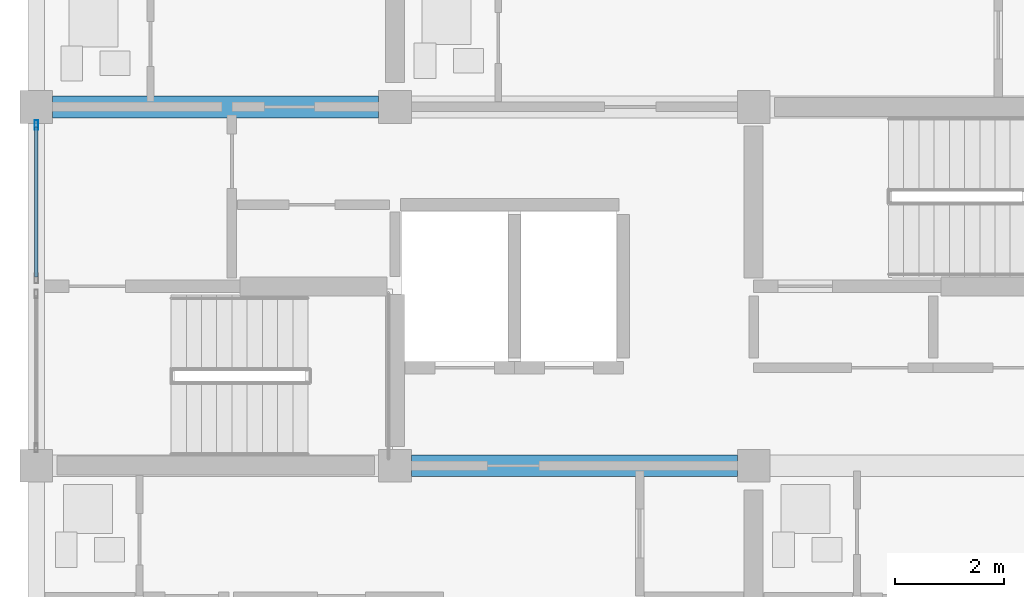
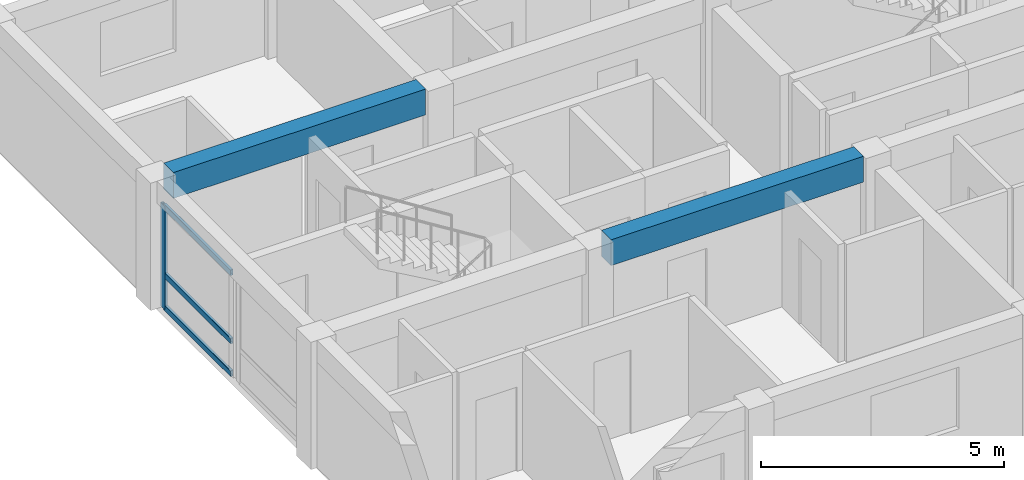
# One storey, part 15 of 52: 4 members, 2 beams, 1 element without a shape of its own.
"""IFC4 building model written with IfcOpenShell, lengths in metres."""

import ifcopenshell
import ifcopenshell.guid

model = None  # the IFC model being written
_history = None  # IfcOwnerHistory: only IFC2X3 demands one
_inside = {}  # id of a spatial element -> (the spatial element, [elements in it])
_under = {}  # id of a project, library or spatial element -> (it, [spatial elements below it])
_declared = {}  # id of a project -> (the project, [libraries it declares])
_typed = {}  # id of a type object -> (the type object, [elements of that type])
_made_of = {}  # id of a material, layer set ... -> (it, [elements and type objects made of it])


def new_model(schema):
    """Start an empty IFC model of exactly this schema.

    Asked for "IFC4X3", IfcOpenShell would pick the latest addendum, in which some entities
    have other attributes; the version numbers below select the first issue.
    IFC2X3 requires an IfcOwnerHistory on every rooted entity: one is made here for all.
    """
    global model, _history
    if schema == "IFC4X3":
        model = ifcopenshell.file(schema_version=(4, 3, 0, 0))
    else:
        model = ifcopenshell.file(schema=schema)
    _inside.clear()
    _under.clear()
    _declared.clear()
    _typed.clear()
    _made_of.clear()
    _history = None
    if model.schema == "IFC2X3":
        org = make("IfcOrganization", Name="unknown")
        user = make(
            "IfcPersonAndOrganization",
            ThePerson=make("IfcPerson", FamilyName="unknown"),
            TheOrganization=org,
        )
        app = make(
            "IfcApplication",
            ApplicationDeveloper=org,
            Version="unknown",
            ApplicationFullName="unknown",
            ApplicationIdentifier="unknown",
        )
        _history = make(
            "IfcOwnerHistory",
            OwningUser=user,
            OwningApplication=app,
            ChangeAction="ADDED",
            CreationDate=0,
        )
    return model


def make(cls, **values):
    """One entity of the class cls with the attributes given. An attribute that is None is left unset."""
    return model.create_entity(
        cls, **{name: value for name, value in values.items() if value is not None}
    )


def rooted(cls, **values):
    """An entity with a GlobalId (a new one), such as an element, a storey or a relation."""
    return make(cls, GlobalId=ifcopenshell.guid.new(), OwnerHistory=_history, **values)


def si_unit(unit_type, name, prefix=None):
    """IfcSIUnit, for example si_unit("LENGTHUNIT", "METRE", prefix="MILLI")."""
    return make("IfcSIUnit", UnitType=unit_type, Prefix=prefix, Name=name)


def assignment(units):
    """IfcUnitAssignment: the units of a project."""
    return None if units is None else make("IfcUnitAssignment", Units=units)


def point(xyz):
    """IfcCartesianPoint."""
    return None if xyz is None else make("IfcCartesianPoint", Coordinates=xyz)


def direction(xyz):
    """IfcDirection."""
    return None if xyz is None else make("IfcDirection", DirectionRatios=xyz)


def frame(location, z_axis=None, x_axis=None):
    """IfcAxis2Placement3D, a coordinate frame: its origin and axes. An axis left out is left unset."""
    return make(
        "IfcAxis2Placement3D",
        Location=point(location),
        Axis=direction(z_axis),
        RefDirection=direction(x_axis),
    )


def frame_2d(location, x_axis=None):
    """IfcAxis2Placement2D, a coordinate frame in the plane: its origin and x axis."""
    return make(
        "IfcAxis2Placement2D", Location=point(location), RefDirection=direction(x_axis)
    )


def origin():
    """The frame at (0, 0, 0) with its axes left unset."""
    return frame((0.0, 0.0, 0.0))


def origin_2d():
    """The frame at (0, 0) in the plane with its x axis left unset."""
    return frame_2d((0.0, 0.0))


def place(relative_to, where):
    """IfcLocalPlacement: puts the frame where relative to a parent placement (None: the world)."""
    return make(
        "IfcLocalPlacement", PlacementRelTo=relative_to, RelativePlacement=where
    )


def context(
    kind, dimensions, precision=None, world=None, true_north=None, identifier=None
):
    """IfcGeometricRepresentationContext, for example the 3D "Model" context."""
    return make(
        "IfcGeometricRepresentationContext",
        ContextIdentifier=identifier,
        ContextType=kind,
        CoordinateSpaceDimension=dimensions,
        Precision=precision,
        WorldCoordinateSystem=world,
        TrueNorth=true_north,
    )


def subcontext(parent, identifier, kind, view, scale=None):
    """IfcGeometricRepresentationSubContext, for example "Body" below "Model"."""
    return make(
        "IfcGeometricRepresentationSubContext",
        ContextIdentifier=identifier,
        ContextType=kind,
        ParentContext=parent,
        TargetScale=scale,
        TargetView=view,
    )


def project(units=None, contexts=None):
    """IfcProject with its units and contexts."""
    return rooted(
        "IfcProject",
        Name="project",
        RepresentationContexts=contexts,
        UnitsInContext=assignment(units),
    )


def spatial(cls, under=None, at=None, **own):
    """A site, building, storey or space (cls), placed at a placement, below another one or the project."""
    s = rooted(cls, ObjectPlacement=at, **own)
    if under is not None:
        _under.setdefault(under.id(), (under, []))[1].append(s)
    return s


def profile(cls, at=None, kind="AREA", **sizes):
    """A parametric profile (cls). Its sizes go by their IFC names, for example OverallWidth=200.0."""
    return make(cls, ProfileType=kind, Position=at, **sizes)


def rectangle(**sizes):
    """IfcRectangleProfileDef."""
    return profile("IfcRectangleProfileDef", **sizes)


def hollow_rectangle(**sizes):
    """IfcRectangleHollowProfileDef."""
    return profile("IfcRectangleHollowProfileDef", **sizes)


def extrude(swept, where, along, depth):
    """IfcExtrudedAreaSolid: the profile swept, set in the frame where, extruded along a direction by depth."""
    return make(
        "IfcExtrudedAreaSolid",
        SweptArea=swept,
        Position=where,
        ExtrudedDirection=direction(along),
        Depth=depth,
    )


def shape(context_of_items, identifier, shape_type, items):
    """IfcShapeRepresentation: the items that make up one representation, for example the "Body"."""
    return make(
        "IfcShapeRepresentation",
        ContextOfItems=context_of_items,
        RepresentationIdentifier=identifier,
        RepresentationType=shape_type,
        Items=items,
    )


def material(Name=None, Category=None):
    """IfcMaterial."""
    return make("IfcMaterial", Name=Name, Category=Category)


def material_profile(
    of_material, cross_section, Name=None, Category=None, Priority=None
):
    """IfcMaterialProfile: a cross section and its material."""
    return make(
        "IfcMaterialProfile",
        Name=Name,
        Material=of_material,
        Profile=cross_section,
        Priority=Priority,
        Category=Category,
    )


def profile_set(profiles, Name=None, composite=None):
    """IfcMaterialProfileSet."""
    return make(
        "IfcMaterialProfileSet",
        Name=Name,
        MaterialProfiles=profiles,
        CompositeProfile=composite,
    )


def made_of(thing, what):
    """Note that an element or type object is made of a material, layer set ...; save() writes the relation."""
    if what is not None:
        _made_of.setdefault(what.id(), (what, []))[1].append(thing)
    return thing


def type_object(cls, material=None, **own):
    """A type object (cls), such as IfcWallType, which elements share."""
    return made_of(rooted(cls, **own), material)


def element(
    cls,
    number,
    at=None,
    inside=None,
    cuts=None,
    type_object=None,
    material=None,
    context=None,
    identifier="Body",
    shape_type=None,
    held_by="IfcProductDefinitionShape",
    body=None,
    shapes=None,
    **own,
):
    """One element of the class cls, such as IfcWall. Its Tag is "e" and its number.

    at: its placement. inside: the storey or other place that contains it. cuts: it is an
    opening in that element (IfcRelVoidsElement). A single representation is given by context,
    identifier, shape_type and body (its items); several are given by shapes. held_by: the class
    of the entity that holds the representations. save() writes the other relations.
    """
    e = rooted(cls, Tag="e%d" % number, ObjectPlacement=at, **own)
    if body is not None:
        shapes = [shape(context, identifier, shape_type, body)]
    if shapes is not None:
        e.Representation = make(held_by, Representations=shapes)
    if inside is not None:
        _inside.setdefault(inside.id(), (inside, []))[1].append(e)
    if cuts is not None:
        rooted(
            "IfcRelVoidsElement", RelatingBuildingElement=cuts, RelatedOpeningElement=e
        )
    if type_object is not None:
        _typed.setdefault(type_object.id(), (type_object, []))[1].append(e)
    return made_of(e, material)


def aggregate(whole, parts):
    """IfcRelAggregates: a whole, such as a stair, and the parts it consists of."""
    return rooted("IfcRelAggregates", RelatingObject=whole, RelatedObjects=parts)


def save(model, path):
    """Write the relations noted so far, then the file.

    IfcRelAggregates (storeys below a building ...), IfcRelContainedInSpatialStructure (elements
    in a storey), IfcRelDefinesByType, IfcRelAssociatesMaterial and IfcRelDeclares: one each for
    every whole, place, type object, material and project.
    """
    for whole, parts in _under.values():
        aggregate(whole, parts)
    for where, things in _inside.values():
        rooted(
            "IfcRelContainedInSpatialStructure",
            RelatedElements=things,
            RelatingStructure=where,
        )
    for kind, things in _typed.values():
        rooted("IfcRelDefinesByType", RelatedObjects=things, RelatingType=kind)
    for what, things in _made_of.values():
        rooted("IfcRelAssociatesMaterial", RelatedObjects=things, RelatingMaterial=what)
    for by, libraries in _declared.values():
        rooted("IfcRelDeclares", RelatingContext=by, RelatedDefinitions=libraries)
    model.write(path)


model = new_model("IFC4")

# Units and contexts
model_context = context("Model", 3, precision=1e-05, world=origin(), true_north=direction((0.0, 1.0)))
body_context = subcontext(model_context, "Body", "Model", "MODEL_VIEW")
ifc_project = project(units=[si_unit("LENGTHUNIT", "METRE"), si_unit("AREAUNIT", "SQUARE_METRE"), si_unit("VOLUMEUNIT", "CUBIC_METRE"), si_unit("PLANEANGLEUNIT", "RADIAN"), si_unit("MASSUNIT", "GRAM", prefix="KILO")], contexts=[model_context])

# Site, building, storey
site_placement = place(None, origin())
site = spatial("IfcSite", under=ifc_project, at=site_placement, CompositionType="ELEMENT")
building_placement = place(site_placement, origin())
building = spatial("IfcBuilding", under=site, at=building_placement, Name="Kernevlak Ridge Housing Community", CompositionType="ELEMENT")
storey_placement = place(building_placement, frame((0.0, 0.0, 11.60009765625)))
storey = spatial("IfcBuildingStorey", under=building, at=storey_placement, Name="L03", CompositionType="ELEMENT", Elevation=11.60009765625)

# Beams
ifc_material_1 = material(Name="Concrete C35/45", Category="concrete")
ifc_material_profile_1 = material_profile(ifc_material_1, rectangle(XDim=0.39990234375, YDim=0.64990234375, at=origin_2d()), Name="RC 400x650")
ifc_profile_set_1 = profile_set([ifc_material_profile_1], Name="Concrete C35/45")
beam_type = type_object("IfcBeamType", Name="B-03", PredefinedType="T_BEAM", material=ifc_profile_set_1)
for number, where, z_axis, x_axis, name in (
    (1, (22.5, 82.60009765625, 2.875), (1.0, 0.0, 0.0), (0.0, 1.0, 0.0), "Beam B-03 L03 141"),
    (2, (15.89990234375, 89.199951171875, 2.875), (1.0, 0.0, 0.0), (0.0, 1.0, 0.0), "Beam B-03 L03 145"),
):
    element("IfcBeam", number, at=place(storey_placement, frame(where, z_axis=z_axis, x_axis=x_axis)), inside=storey, type_object=beam_type, Name=name, PredefinedType="T_BEAM", context=body_context, shape_type="SweptSolid", body=[
        extrude(rectangle(XDim=0.39990234375, YDim=0.64990234375, at=origin_2d()), origin(), (0.0, 0.0, 1.0), 6.0),
    ])

# Curtain wall, members
ifc_material_2 = material(Name="Aluminium EN AW-6060 anodised and laminated glass", Category="aluminium")
curtain_wall_type = type_object("IfcCurtainWallType", Name="CW-07", PredefinedType="NOTDEFINED", material=ifc_material_2)
curtain_wall_placement = place(storey_placement, origin())
curtain_wall = element("IfcCurtainWall", 3, at=curtain_wall_placement, inside=storey, type_object=curtain_wall_type, Name="Curtain wall CW-07 CW-L03-011", PredefinedType="NOTDEFINED")
ifc_material_3 = material(Name="Aluminium EN AW-6060 anodised", Category="aluminium")
ifc_material_profile_2 = material_profile(ifc_material_3, hollow_rectangle(XDim=0.06494140625, YDim=0.179931640625, WallThickness=0.00439453125, InnerFilletRadius=0.001953125, OuterFilletRadius=0.00439453125, at=origin_2d()), Name="ALU 65x180x4.5")
ifc_profile_set_2 = profile_set([ifc_material_profile_2], Name="Aluminium EN AW-6060 anodised")
member_type_1 = type_object("IfcMemberType", Name="MU-03", PredefinedType="MULLION", material=ifc_profile_set_2)
member_1_placement = place(storey_placement, frame((15.60009765625, 88.867431640625, 0.0), z_axis=(0.0, 0.0, 1.0), x_axis=(-1.0, 0.0, 0.0)))
member_1 = element("IfcMember", 4, at=member_1_placement, type_object=member_type_1, Name="CW-07 mullion 2", PredefinedType="MULLION", context=body_context, shape_type="SweptSolid", body=[
    extrude(hollow_rectangle(XDim=0.06494140625, YDim=0.179931640625, WallThickness=0.00439453125, InnerFilletRadius=0.001953125, OuterFilletRadius=0.00439453125, at=origin_2d()), origin(), (0.0, 0.0, 1.0), 2.599853515625),
])
ifc_material_profile_3 = material_profile(ifc_material_3, hollow_rectangle(XDim=0.06494140625, YDim=0.139892578125, WallThickness=0.00390625, InnerFilletRadius=0.001953125, OuterFilletRadius=0.00390625, at=origin_2d()), Name="ALU 65x140x4")
ifc_profile_set_3 = profile_set([ifc_material_profile_3], Name="Aluminium EN AW-6060 anodised")
member_type_2 = type_object("IfcMemberType", Name="TM-03", PredefinedType="USERDEFINED", material=ifc_profile_set_3)
member_2_placement = place(storey_placement, frame((15.60009765625, 86.074951171875, 0.032470703125), z_axis=(0.0, 1.0, 0.0), x_axis=(-1.0, 0.0, 0.0)))
member_2 = element("IfcMember", 5, at=member_2_placement, type_object=member_type_2, Name="CW-07 transom 1.1", ObjectType="TRANSOM", PredefinedType="USERDEFINED", context=body_context, shape_type="SweptSolid", body=[
    extrude(hollow_rectangle(XDim=0.06494140625, YDim=0.139892578125, WallThickness=0.00390625, InnerFilletRadius=0.001953125, OuterFilletRadius=0.00390625, at=origin_2d()), origin(), (0.0, 0.0, 1.0), 2.760009765625),
])
member_3_placement = place(storey_placement, frame((15.60009765625, 86.074951171875, 0.849853515625), z_axis=(0.0, 1.0, 0.0), x_axis=(-1.0, 0.0, 0.0)))
member_3 = element("IfcMember", 6, at=member_3_placement, type_object=member_type_2, Name="CW-07 transom 1.2", ObjectType="TRANSOM", PredefinedType="USERDEFINED", context=body_context, shape_type="SweptSolid", body=[
    extrude(hollow_rectangle(XDim=0.06494140625, YDim=0.139892578125, WallThickness=0.00390625, InnerFilletRadius=0.001953125, OuterFilletRadius=0.00390625, at=origin_2d()), origin(), (0.0, 0.0, 1.0), 2.760009765625),
])
member_4_placement = place(storey_placement, frame((15.60009765625, 86.074951171875, 2.5673828125), z_axis=(0.0, 1.0, 0.0), x_axis=(-1.0, 0.0, 0.0)))
member_4 = element("IfcMember", 7, at=member_4_placement, type_object=member_type_2, Name="CW-07 transom 1.3", ObjectType="TRANSOM", PredefinedType="USERDEFINED", context=body_context, shape_type="SweptSolid", body=[
    extrude(hollow_rectangle(XDim=0.06494140625, YDim=0.139892578125, WallThickness=0.00390625, InnerFilletRadius=0.001953125, OuterFilletRadius=0.00390625, at=origin_2d()), origin(), (0.0, 0.0, 1.0), 2.760009765625),
])
aggregate(curtain_wall, [member_1, member_2, member_3, member_4])

save(model, "model.ifc")
